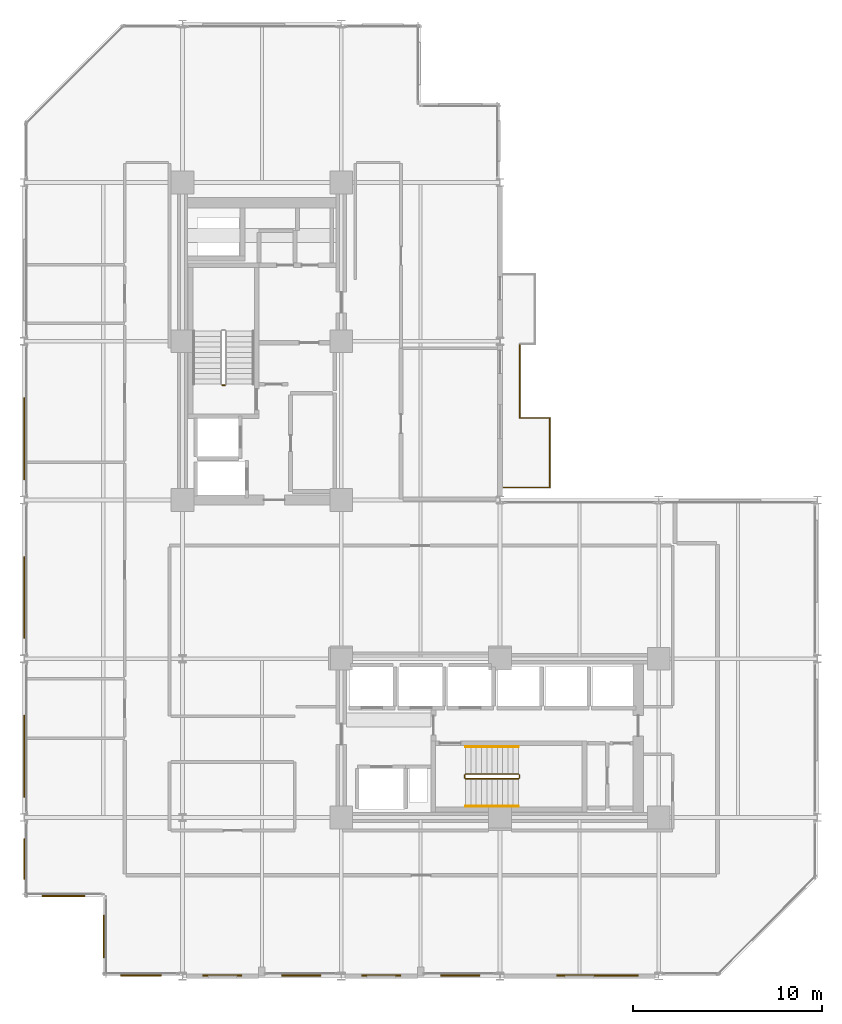
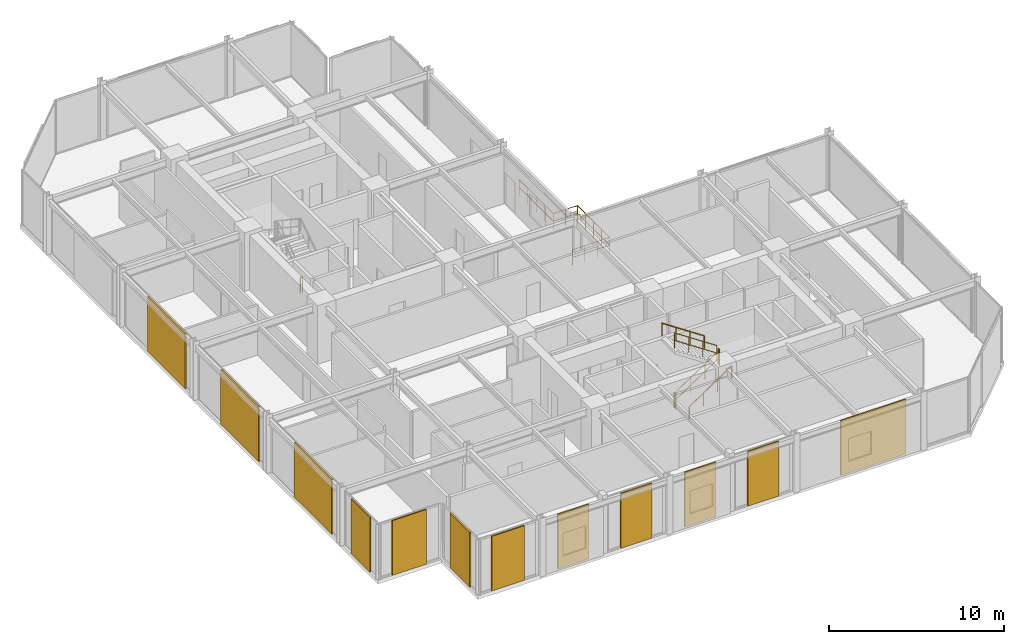
# One storey, part 27 of 29: 12 coverings, 11 railings.
"""IFC4 building model written with IfcOpenShell, lengths in metres."""

import ifcopenshell
import ifcopenshell.guid

model = None  # the IFC model being written
_history = None  # IfcOwnerHistory: only IFC2X3 demands one
_inside = {}  # id of a spatial element -> (the spatial element, [elements in it])
_under = {}  # id of a project, library or spatial element -> (it, [spatial elements below it])
_declared = {}  # id of a project -> (the project, [libraries it declares])
_typed = {}  # id of a type object -> (the type object, [elements of that type])
_made_of = {}  # id of a material, layer set ... -> (it, [elements and type objects made of it])


def new_model(schema):
    """Start an empty IFC model of exactly this schema.

    Asked for "IFC4X3", IfcOpenShell would pick the latest addendum, in which some entities
    have other attributes; the version numbers below select the first issue.
    IFC2X3 requires an IfcOwnerHistory on every rooted entity: one is made here for all.
    """
    global model, _history
    if schema == "IFC4X3":
        model = ifcopenshell.file(schema_version=(4, 3, 0, 0))
    else:
        model = ifcopenshell.file(schema=schema)
    _inside.clear()
    _under.clear()
    _declared.clear()
    _typed.clear()
    _made_of.clear()
    _history = None
    if model.schema == "IFC2X3":
        org = make("IfcOrganization", Name="unknown")
        user = make(
            "IfcPersonAndOrganization",
            ThePerson=make("IfcPerson", FamilyName="unknown"),
            TheOrganization=org,
        )
        app = make(
            "IfcApplication",
            ApplicationDeveloper=org,
            Version="unknown",
            ApplicationFullName="unknown",
            ApplicationIdentifier="unknown",
        )
        _history = make(
            "IfcOwnerHistory",
            OwningUser=user,
            OwningApplication=app,
            ChangeAction="ADDED",
            CreationDate=0,
        )
    return model


def make(cls, **values):
    """One entity of the class cls with the attributes given. An attribute that is None is left unset."""
    return model.create_entity(
        cls, **{name: value for name, value in values.items() if value is not None}
    )


def rooted(cls, **values):
    """An entity with a GlobalId (a new one), such as an element, a storey or a relation."""
    return make(cls, GlobalId=ifcopenshell.guid.new(), OwnerHistory=_history, **values)


def si_unit(unit_type, name, prefix=None):
    """IfcSIUnit, for example si_unit("LENGTHUNIT", "METRE", prefix="MILLI")."""
    return make("IfcSIUnit", UnitType=unit_type, Prefix=prefix, Name=name)


def assignment(units):
    """IfcUnitAssignment: the units of a project."""
    return None if units is None else make("IfcUnitAssignment", Units=units)


def point(xyz):
    """IfcCartesianPoint."""
    return None if xyz is None else make("IfcCartesianPoint", Coordinates=xyz)


def direction(xyz):
    """IfcDirection."""
    return None if xyz is None else make("IfcDirection", DirectionRatios=xyz)


def frame(location, z_axis=None, x_axis=None):
    """IfcAxis2Placement3D, a coordinate frame: its origin and axes. An axis left out is left unset."""
    return make(
        "IfcAxis2Placement3D",
        Location=point(location),
        Axis=direction(z_axis),
        RefDirection=direction(x_axis),
    )


def frame_2d(location, x_axis=None):
    """IfcAxis2Placement2D, a coordinate frame in the plane: its origin and x axis."""
    return make(
        "IfcAxis2Placement2D", Location=point(location), RefDirection=direction(x_axis)
    )


def origin():
    """The frame at (0, 0, 0) with its axes left unset."""
    return frame((0.0, 0.0, 0.0))


def origin_2d():
    """The frame at (0, 0) in the plane with its x axis left unset."""
    return frame_2d((0.0, 0.0))


def place(relative_to, where):
    """IfcLocalPlacement: puts the frame where relative to a parent placement (None: the world)."""
    return make(
        "IfcLocalPlacement", PlacementRelTo=relative_to, RelativePlacement=where
    )


def context(
    kind, dimensions, precision=None, world=None, true_north=None, identifier=None
):
    """IfcGeometricRepresentationContext, for example the 3D "Model" context."""
    return make(
        "IfcGeometricRepresentationContext",
        ContextIdentifier=identifier,
        ContextType=kind,
        CoordinateSpaceDimension=dimensions,
        Precision=precision,
        WorldCoordinateSystem=world,
        TrueNorth=true_north,
    )


def subcontext(parent, identifier, kind, view, scale=None):
    """IfcGeometricRepresentationSubContext, for example "Body" below "Model"."""
    return make(
        "IfcGeometricRepresentationSubContext",
        ContextIdentifier=identifier,
        ContextType=kind,
        ParentContext=parent,
        TargetScale=scale,
        TargetView=view,
    )


def project(units=None, contexts=None):
    """IfcProject with its units and contexts."""
    return rooted(
        "IfcProject",
        Name="project",
        RepresentationContexts=contexts,
        UnitsInContext=assignment(units),
    )


def spatial(cls, under=None, at=None, **own):
    """A site, building, storey or space (cls), placed at a placement, below another one or the project."""
    s = rooted(cls, ObjectPlacement=at, **own)
    if under is not None:
        _under.setdefault(under.id(), (under, []))[1].append(s)
    return s


def profile(cls, at=None, kind="AREA", **sizes):
    """A parametric profile (cls). Its sizes go by their IFC names, for example OverallWidth=200.0."""
    return make(cls, ProfileType=kind, Position=at, **sizes)


def rectangle(**sizes):
    """IfcRectangleProfileDef."""
    return profile("IfcRectangleProfileDef", **sizes)


def circle(**sizes):
    """IfcCircleProfileDef."""
    return profile("IfcCircleProfileDef", **sizes)


def extrude(swept, where, along, depth):
    """IfcExtrudedAreaSolid: the profile swept, set in the frame where, extruded along a direction by depth."""
    return make(
        "IfcExtrudedAreaSolid",
        SweptArea=swept,
        Position=where,
        ExtrudedDirection=direction(along),
        Depth=depth,
    )


def shape(context_of_items, identifier, shape_type, items):
    """IfcShapeRepresentation: the items that make up one representation, for example the "Body"."""
    return make(
        "IfcShapeRepresentation",
        ContextOfItems=context_of_items,
        RepresentationIdentifier=identifier,
        RepresentationType=shape_type,
        Items=items,
    )


def material(Name=None, Category=None):
    """IfcMaterial."""
    return make("IfcMaterial", Name=Name, Category=Category)


def layer(
    of_material, thickness, ventilated=None, Name=None, Category=None, Priority=None
):
    """IfcMaterialLayer: one layer of a wall or slab, of a material (None: an air gap)."""
    return make(
        "IfcMaterialLayer",
        Material=of_material,
        LayerThickness=thickness,
        IsVentilated=ventilated,
        Name=Name,
        Category=Category,
        Priority=Priority,
    )


def layer_set(layers, Name=None):
    """IfcMaterialLayerSet."""
    return make("IfcMaterialLayerSet", MaterialLayers=layers, LayerSetName=Name)


def made_of(thing, what):
    """Note that an element or type object is made of a material, layer set ...; save() writes the relation."""
    if what is not None:
        _made_of.setdefault(what.id(), (what, []))[1].append(thing)
    return thing


def type_object(cls, material=None, **own):
    """A type object (cls), such as IfcWallType, which elements share."""
    return made_of(rooted(cls, **own), material)


def element(
    cls,
    number,
    at=None,
    inside=None,
    cuts=None,
    type_object=None,
    material=None,
    context=None,
    identifier="Body",
    shape_type=None,
    held_by="IfcProductDefinitionShape",
    body=None,
    shapes=None,
    **own,
):
    """One element of the class cls, such as IfcWall. Its Tag is "e" and its number.

    at: its placement. inside: the storey or other place that contains it. cuts: it is an
    opening in that element (IfcRelVoidsElement). A single representation is given by context,
    identifier, shape_type and body (its items); several are given by shapes. held_by: the class
    of the entity that holds the representations. save() writes the other relations.
    """
    e = rooted(cls, Tag="e%d" % number, ObjectPlacement=at, **own)
    if body is not None:
        shapes = [shape(context, identifier, shape_type, body)]
    if shapes is not None:
        e.Representation = make(held_by, Representations=shapes)
    if inside is not None:
        _inside.setdefault(inside.id(), (inside, []))[1].append(e)
    if cuts is not None:
        rooted(
            "IfcRelVoidsElement", RelatingBuildingElement=cuts, RelatedOpeningElement=e
        )
    if type_object is not None:
        _typed.setdefault(type_object.id(), (type_object, []))[1].append(e)
    return made_of(e, material)


def aggregate(whole, parts):
    """IfcRelAggregates: a whole, such as a stair, and the parts it consists of."""
    return rooted("IfcRelAggregates", RelatingObject=whole, RelatedObjects=parts)


def save(model, path):
    """Write the relations noted so far, then the file.

    IfcRelAggregates (storeys below a building ...), IfcRelContainedInSpatialStructure (elements
    in a storey), IfcRelDefinesByType, IfcRelAssociatesMaterial and IfcRelDeclares: one each for
    every whole, place, type object, material and project.
    """
    for whole, parts in _under.values():
        aggregate(whole, parts)
    for where, things in _inside.values():
        rooted(
            "IfcRelContainedInSpatialStructure",
            RelatedElements=things,
            RelatingStructure=where,
        )
    for kind, things in _typed.values():
        rooted("IfcRelDefinesByType", RelatedObjects=things, RelatingType=kind)
    for what, things in _made_of.values():
        rooted("IfcRelAssociatesMaterial", RelatedObjects=things, RelatingMaterial=what)
    for by, libraries in _declared.values():
        rooted("IfcRelDeclares", RelatingContext=by, RelatedDefinitions=libraries)
    model.write(path)


model = new_model("IFC4")

# Units and contexts
model_context = context("Model", 3, precision=1e-05, world=origin(), true_north=direction((0.0, 1.0)))
body_context = subcontext(model_context, "Body", "Model", "MODEL_VIEW")
ifc_project = project(units=[si_unit("LENGTHUNIT", "METRE"), si_unit("AREAUNIT", "SQUARE_METRE"), si_unit("VOLUMEUNIT", "CUBIC_METRE"), si_unit("PLANEANGLEUNIT", "RADIAN"), si_unit("MASSUNIT", "GRAM", prefix="KILO")], contexts=[model_context])

# Site, building, storey
site_placement = place(None, origin())
site = spatial("IfcSite", under=ifc_project, at=site_placement, CompositionType="ELEMENT")
building_placement = place(site_placement, origin())
building = spatial("IfcBuilding", under=site, at=building_placement, Name="Nerrivon Quay Data Exchange", CompositionType="ELEMENT")
storey_placement = place(building_placement, frame((0.0, 0.0, 133.60009765625)))
storey = spatial("IfcBuildingStorey", under=building, at=storey_placement, Name="L31", CompositionType="ELEMENT", Elevation=133.60009765625)

# Coverings
ifc_material_1 = material(Name="Architectural terracotta ceramic", Category="masonry")
ifc_layer = layer(ifc_material_1, 0.090087890625)
ifc_layer_set = layer_set([ifc_layer], Name="Architectural terracotta ceramic")
covering_type = type_object("IfcCoveringType", Name="COV-SCR-TERR", PredefinedType="CLADDING", material=ifc_layer_set)
covering_1_placement = place(storey_placement, frame((30.360107421875, 0.044921875, 0.0), z_axis=(0.0, 0.0, 1.0), x_axis=(-1.0, 0.0, 0.0)))
element("IfcCovering", 1, at=covering_1_placement, inside=storey, type_object=covering_type, Name="L31 Perforated Terracotta SOLAR SCREEN Cassette", PredefinedType="CLADDING", context=body_context, shape_type="SweptSolid", body=[
    extrude(rectangle(XDim=4.320068359375, YDim=0.090087890625, at=origin_2d()), origin(), (0.0, 0.0, 1.0), 3.824951171875),
])
for number, where, z_axis, x_axis, name in (
    (2, (23.08740234375, 0.044921875, 0.0), (0.0, 0.0, 1.0), (-1.0, 0.0, 0.0), "L31 Perforated Terracotta SOLAR SCREEN Cassette"),
    (3, (18.91259765625, 0.044921875, 0.0), (0.0, 0.0, 1.0), (-1.0, 0.0, 0.0), "L31 Perforated Terracotta SOLAR SCREEN Cassette"),
):
    element("IfcCovering", number, at=place(storey_placement, frame(where, z_axis=z_axis, x_axis=x_axis)), inside=storey, type_object=covering_type, Name=name, PredefinedType="CLADDING", context=body_context, shape_type="SweptSolid", body=[
        extrude(rectangle(XDim=2.06494140625, YDim=0.090087890625, at=origin_2d()), origin(), (0.0, 0.0, 1.0), 3.824951171875),
    ])
for number, where, z_axis, x_axis, name in (
    (4, (14.6875, 0.044921875, 0.0), (0.0, 0.0, 1.0), (-1.0, 0.0, 0.0), "L31 Perforated Terracotta SOLAR SCREEN Cassette"),
    (5, (10.512451171875, 0.044921875, 0.0), (0.0, 0.0, 1.0), (-1.0, 0.0, 0.0), "L31 Perforated Terracotta SOLAR SCREEN Cassette"),
):
    element("IfcCovering", number, at=place(storey_placement, frame(where, z_axis=z_axis, x_axis=x_axis)), inside=storey, type_object=covering_type, Name=name, PredefinedType="CLADDING", context=body_context, shape_type="SweptSolid", body=[
        extrude(rectangle(XDim=2.06591796875, YDim=0.090087890625, at=origin_2d()), origin(), (0.0, 0.0, 1.0), 3.824951171875),
    ])
covering_2_placement = place(storey_placement, frame((6.199951171875, 0.044921875, 0.0), z_axis=(0.0, 0.0, 1.0), x_axis=(-1.0, 0.0, 0.0)))
element("IfcCovering", 6, at=covering_2_placement, inside=storey, type_object=covering_type, Name="L31 Perforated Terracotta SOLAR SCREEN Cassette", PredefinedType="CLADDING", context=body_context, shape_type="SweptSolid", body=[
    extrude(rectangle(XDim=2.159912109375, YDim=0.090087890625, at=origin_2d()), origin(), (0.0, 0.0, 1.0), 3.824951171875),
])
for number, where, z_axis, x_axis, name in (
    (7, (4.2451171875, 2.10009765625, 0.0), (0.0, 0.0, 1.0), (0.0, 1.0, 0.0), "L31 Perforated Terracotta SOLAR SCREEN Cassette"),
    (8, (2.10009765625, 4.2451171875, 0.0), (0.0, 0.0, 1.0), (-1.0, 0.0, 0.0), "L31 Perforated Terracotta SOLAR SCREEN Cassette"),
):
    element("IfcCovering", number, at=place(storey_placement, frame(where, z_axis=z_axis, x_axis=x_axis)), inside=storey, type_object=covering_type, Name=name, PredefinedType="CLADDING", context=body_context, shape_type="SweptSolid", body=[
        extrude(rectangle(XDim=2.26806640625, YDim=0.090087890625, at=origin_2d()), origin(), (0.0, 0.0, 1.0), 3.824951171875),
    ])
covering_3_placement = place(storey_placement, frame((0.044921875, 6.199951171875, 0.0), z_axis=(0.0, 0.0, 1.0), x_axis=(0.0, 1.0, 0.0)))
element("IfcCovering", 9, at=covering_3_placement, inside=storey, type_object=covering_type, Name="L31 Perforated Terracotta SOLAR SCREEN Cassette", PredefinedType="CLADDING", context=body_context, shape_type="SweptSolid", body=[
    extrude(rectangle(XDim=2.159912109375, YDim=0.090087890625, at=origin_2d()), origin(), (0.0, 0.0, 1.0), 3.824951171875),
])
for number, where, z_axis, x_axis, name in (
    (10, (0.044921875, 11.639892578125, 0.0), (0.0, 0.0, 1.0), (0.0, 1.0, 0.0), "L31 Perforated Terracotta SOLAR SCREEN Cassette"),
    (11, (0.044921875, 20.0400390625, 0.0), (0.0, 0.0, 1.0), (0.0, 1.0, 0.0), "L31 Perforated Terracotta SOLAR SCREEN Cassette"),
    (12, (0.044921875, 28.43994140625, 0.0), (0.0, 0.0, 1.0), (0.0, 1.0, 0.0), "L31 Perforated Terracotta SOLAR SCREEN Cassette"),
):
    element("IfcCovering", number, at=place(storey_placement, frame(where, z_axis=z_axis, x_axis=x_axis)), inside=storey, type_object=covering_type, Name=name, PredefinedType="CLADDING", context=body_context, shape_type="SweptSolid", body=[
        extrude(rectangle(XDim=4.320068359375, YDim=0.090087890625, at=origin_2d()), origin(), (0.0, 0.0, 1.0), 3.824951171875),
    ])

# Railings
ifc_material_2 = material(Name="Steel Grade C350L0 (350 MPa)", Category="steel")
railing_type_1 = type_object("IfcRailingType", Name="RAIL-GUARD-GR2", PredefinedType="BALUSTRADE", material=ifc_material_2)
railing_1_placement = place(storey_placement, frame((26.239990234375, 29.5400390625, 0.0)))
element("IfcRailing", 13, at=railing_1_placement, inside=storey, type_object=railing_type_1, Name="L31 Verandah Balcony Guard 1.1 1", PredefinedType="BALUSTRADE", context=body_context, shape_type="SweptSolid", body=[
    extrude(circle(Radius=0.02392578125, at=origin_2d()), frame((0.0, 0.0, 1.09619140625), z_axis=(1.0, 0.0, 0.0), x_axis=(0.0, 1.0, 0.0)), (0.0, 0.0, 1.0), 1.60009765625),
    extrude(circle(Radius=0.02392578125, at=origin_2d()), frame((0.0, 0.0, 0.56005859375), z_axis=(1.0, 0.0, 0.0), x_axis=(0.0, 1.0, 0.0)), (0.0, 0.0, 1.0), 1.60009765625),
    extrude(circle(Radius=0.02099609375, at=origin_2d()), origin(), (0.0, 0.0, 1.0), 1.072021484375),
    extrude(circle(Radius=0.02099609375, at=origin_2d()), frame((0.800048828125, 0.0, 0.0)), (0.0, 0.0, 1.0), 1.072021484375),
    extrude(circle(Radius=0.02099609375, at=origin_2d()), frame((1.60009765625, 0.0, 0.0)), (0.0, 0.0, 1.0), 1.072021484375),
])
railing_2_placement = place(storey_placement, frame((27.840087890625, 29.5400390625, 0.0)))
element("IfcRailing", 14, at=railing_2_placement, inside=storey, type_object=railing_type_1, Name="L31 Verandah Balcony Guard 1.2 1", PredefinedType="BALUSTRADE", context=body_context, shape_type="SweptSolid", body=[
    extrude(circle(Radius=0.02392578125, at=origin_2d()), frame((0.0, 0.0, 1.09619140625), z_axis=(0.0, -1.0, 0.0), x_axis=(1.0, 0.0, 0.0)), (0.0, 0.0, 1.0), 3.679931640625),
    extrude(circle(Radius=0.02392578125, at=origin_2d()), frame((0.0, 0.0, 0.56005859375), z_axis=(0.0, -1.0, 0.0), x_axis=(1.0, 0.0, 0.0)), (0.0, 0.0, 1.0), 3.679931640625),
    extrude(circle(Radius=0.02099609375, at=origin_2d()), origin(), (0.0, 0.0, 1.0), 1.072021484375),
    extrude(circle(Radius=0.02099609375, at=origin_2d()), frame((0.0, -0.919921875, 0.0)), (0.0, 0.0, 1.0), 1.072021484375),
    extrude(circle(Radius=0.02099609375, at=origin_2d()), frame((0.0, -1.83984375, 0.0)), (0.0, 0.0, 1.0), 1.072021484375),
    extrude(circle(Radius=0.02099609375, at=origin_2d()), frame((0.0, -2.760009765625, 0.0)), (0.0, 0.0, 1.0), 1.072021484375),
    extrude(circle(Radius=0.02099609375, at=origin_2d()), frame((0.0, -3.679931640625, 0.0)), (0.0, 0.0, 1.0), 1.072021484375),
])
railing_3_placement = place(storey_placement, frame((27.840087890625, 25.860107421875, 0.0)))
element("IfcRailing", 15, at=railing_3_placement, inside=storey, type_object=railing_type_1, Name="L31 Verandah Balcony Guard 1.3 1", PredefinedType="BALUSTRADE", context=body_context, shape_type="SweptSolid", body=[
    extrude(circle(Radius=0.02392578125, at=origin_2d()), frame((0.0, 0.0, 1.09619140625), z_axis=(-1.0, 0.0, 0.0), x_axis=(0.0, -1.0, 0.0)), (0.0, 0.0, 1.0), 2.460205078125),
    extrude(circle(Radius=0.02392578125, at=origin_2d()), frame((0.0, 0.0, 0.56005859375), z_axis=(-1.0, 0.0, 0.0), x_axis=(0.0, -1.0, 0.0)), (0.0, 0.0, 1.0), 2.460205078125),
    extrude(circle(Radius=0.02099609375, at=origin_2d()), origin(), (0.0, 0.0, 1.0), 1.072021484375),
    extrude(circle(Radius=0.02099609375, at=origin_2d()), frame((-0.820068359375, 0.0, 0.0)), (0.0, 0.0, 1.0), 1.072021484375),
    extrude(circle(Radius=0.02099609375, at=origin_2d()), frame((-1.64013671875, 0.0, 0.0)), (0.0, 0.0, 1.0), 1.072021484375),
    extrude(circle(Radius=0.02099609375, at=origin_2d()), frame((-2.460205078125, 0.0, 0.0)), (0.0, 0.0, 1.0), 1.072021484375),
])
railing_4_placement = place(storey_placement, frame((26.239990234375, 33.4599609375, 0.0)))
element("IfcRailing", 16, at=railing_4_placement, inside=storey, type_object=railing_type_1, Name="L31 Verandah Balcony Guard 1.7 1", PredefinedType="BALUSTRADE", context=body_context, shape_type="SweptSolid", body=[
    extrude(circle(Radius=0.02392578125, at=origin_2d()), frame((0.0, 0.0, 1.09619140625), z_axis=(0.0, -1.0, 0.0), x_axis=(1.0, 0.0, 0.0)), (0.0, 0.0, 1.0), 3.919921875),
    extrude(circle(Radius=0.02392578125, at=origin_2d()), frame((0.0, 0.0, 0.56005859375), z_axis=(0.0, -1.0, 0.0), x_axis=(1.0, 0.0, 0.0)), (0.0, 0.0, 1.0), 3.919921875),
    extrude(circle(Radius=0.02099609375, at=origin_2d()), origin(), (0.0, 0.0, 1.0), 1.072021484375),
    extrude(circle(Radius=0.02099609375, at=origin_2d()), frame((0.0, -0.97998046875, 0.0)), (0.0, 0.0, 1.0), 1.072021484375),
    extrude(circle(Radius=0.02099609375, at=origin_2d()), frame((0.0, -1.9599609375, 0.0)), (0.0, 0.0, 1.0), 1.072021484375),
    extrude(circle(Radius=0.02099609375, at=origin_2d()), frame((0.0, -2.93994140625, 0.0)), (0.0, 0.0, 1.0), 1.072021484375),
    extrude(circle(Radius=0.02099609375, at=origin_2d()), frame((0.0, -3.919921875, 0.0)), (0.0, 0.0, 1.0), 1.072021484375),
])
railing_type_2 = type_object("IfcRailingType", Name="RAIL-HAND-HR1", PredefinedType="HANDRAIL", material=ifc_material_2)
railing_5_placement = place(storey_placement, frame((23.3798828125, 9.0, 0.186279296875)))
element("IfcRailing", 17, at=railing_5_placement, inside=storey, type_object=railing_type_2, Name="L31 ST02 stair handrail 1", PredefinedType="HANDRAIL", context=body_context, shape_type="SweptSolid", body=[
    extrude(circle(Radius=0.02392578125, at=origin_2d()), frame((0.0, 0.0, 0.8759765625), z_axis=(0.832485552168, 0.0, 0.554046753832), x_axis=(0.0, 1.0, 0.0)), (0.0, 0.0, 1.0), 3.363525390625),
    extrude(circle(Radius=0.02099609375, at=origin_2d()), origin(), (0.0, 0.0, 1.0), 0.851806640625),
    extrude(circle(Radius=0.02099609375, at=origin_2d()), frame((0.933349609375, 0.0, 0.62109375)), (0.0, 0.0, 1.0), 0.851806640625),
    extrude(circle(Radius=0.02099609375, at=origin_2d()), frame((1.86669921875, 0.0, 1.242431640625)), (0.0, 0.0, 1.0), 0.851806640625),
    extrude(circle(Radius=0.02099609375, at=origin_2d()), frame((2.800048828125, 0.0, 1.863525390625)), (0.0, 0.0, 1.0), 0.851806640625),
])
railing_6_placement = place(storey_placement, frame((26.179931640625, 12.14990234375, 2.236328125)))
element("IfcRailing", 18, at=railing_6_placement, inside=storey, type_object=railing_type_2, Name="L31 ST02 stair handrail 2", PredefinedType="HANDRAIL", context=body_context, shape_type="SweptSolid", body=[
    extrude(circle(Radius=0.02392578125, at=origin_2d()), frame((0.0, 0.0, 0.8759765625), z_axis=(-0.832485552168, 0.0, 0.554046753832), x_axis=(0.0, -1.0, 0.0)), (0.0, 0.0, 1.0), 3.363525390625),
    extrude(circle(Radius=0.02099609375, at=origin_2d()), origin(), (0.0, 0.0, 1.0), 0.851806640625),
    extrude(circle(Radius=0.02099609375, at=origin_2d()), frame((-0.933349609375, 0.0, 0.62109375)), (0.0, 0.0, 1.0), 0.851806640625),
    extrude(circle(Radius=0.02099609375, at=origin_2d()), frame((-1.86669921875, 0.0, 1.242431640625)), (0.0, 0.0, 1.0), 0.851806640625),
    extrude(circle(Radius=0.02099609375, at=origin_2d()), frame((-2.800048828125, 0.0, 1.863525390625)), (0.0, 0.0, 1.0), 0.851806640625),
])
railing_type_3 = type_object("IfcRailingType", Name="RAIL-STAIR-GR1", PredefinedType="BALUSTRADE", material=ifc_material_2)
railing_7_placement = place(storey_placement, frame((10.64990234375, 31.280029296875, 0.0)))
element("IfcRailing", 19, at=railing_7_placement, inside=storey, type_object=railing_type_3, Name="L31 ST01 stair guard 4", PredefinedType="BALUSTRADE", context=body_context, shape_type="SweptSolid", body=[
    extrude(circle(Radius=0.02392578125, at=origin_2d()), frame((0.0, 0.0, 1.076171875), z_axis=(-1.0, 0.0, 0.0), x_axis=(0.0, -1.0, 0.0)), (0.0, 0.0, 1.0), 0.14990234375),
    extrude(circle(Radius=0.02392578125, at=origin_2d()), frame((0.0, 0.0, 0.550048828125), z_axis=(-1.0, 0.0, 0.0), x_axis=(0.0, -1.0, 0.0)), (0.0, 0.0, 1.0), 0.14990234375),
    extrude(circle(Radius=0.02099609375, at=origin_2d()), origin(), (0.0, 0.0, 1.0), 1.052001953125),
    extrude(circle(Radius=0.02099609375, at=origin_2d()), frame((-0.14990234375, 0.0, 0.0)), (0.0, 0.0, 1.0), 1.052001953125),
])
railing_8_placement = place(storey_placement, frame((23.3798828125, 10.449951171875, 0.186279296875)))
element("IfcRailing", 20, at=railing_8_placement, inside=storey, type_object=railing_type_3, Name="L31 ST02 stair guard 1", PredefinedType="BALUSTRADE", context=body_context, shape_type="SweptSolid", body=[
    extrude(circle(Radius=0.02392578125, at=origin_2d()), frame((0.0, 0.0, 1.076171875), z_axis=(0.832485552168, 0.0, 0.554046753832), x_axis=(0.0, 1.0, 0.0)), (0.0, 0.0, 1.0), 3.363525390625),
    extrude(circle(Radius=0.02392578125, at=origin_2d()), frame((0.0, 0.0, 0.550048828125), z_axis=(0.832485552168, 0.0, 0.554046753832), x_axis=(0.0, 1.0, 0.0)), (0.0, 0.0, 1.0), 3.363525390625),
    extrude(circle(Radius=0.02099609375, at=origin_2d()), origin(), (0.0, 0.0, 1.0), 1.052001953125),
    extrude(circle(Radius=0.02099609375, at=origin_2d()), frame((0.933349609375, 0.0, 0.62109375)), (0.0, 0.0, 1.0), 1.052001953125),
    extrude(circle(Radius=0.02099609375, at=origin_2d()), frame((1.86669921875, 0.0, 1.242431640625)), (0.0, 0.0, 1.0), 1.052001953125),
    extrude(circle(Radius=0.02099609375, at=origin_2d()), frame((2.800048828125, 0.0, 1.863525390625)), (0.0, 0.0, 1.0), 1.052001953125),
])
railing_9_placement = place(storey_placement, frame((26.22998046875, 10.5, 2.0498046875)))
element("IfcRailing", 21, at=railing_9_placement, inside=storey, type_object=railing_type_3, Name="L31 ST02 stair guard 2", PredefinedType="BALUSTRADE", context=body_context, shape_type="SweptSolid", body=[
    extrude(circle(Radius=0.02392578125, at=origin_2d()), frame((0.0, 0.0, 1.076171875), z_axis=(0.0, 1.0, 0.0), x_axis=(-1.0, 0.0, 0.0)), (0.0, 0.0, 1.0), 0.14990234375),
    extrude(circle(Radius=0.02392578125, at=origin_2d()), frame((0.0, 0.0, 0.550048828125), z_axis=(0.0, 1.0, 0.0), x_axis=(-1.0, 0.0, 0.0)), (0.0, 0.0, 1.0), 0.14990234375),
    extrude(circle(Radius=0.02099609375, at=origin_2d()), origin(), (0.0, 0.0, 1.0), 1.052001953125),
    extrude(circle(Radius=0.02099609375, at=origin_2d()), frame((0.0, 0.14990234375, 0.0)), (0.0, 0.0, 1.0), 1.052001953125),
])
railing_10_placement = place(storey_placement, frame((26.179931640625, 10.699951171875, 2.236328125)))
element("IfcRailing", 22, at=railing_10_placement, inside=storey, type_object=railing_type_3, Name="L31 ST02 stair guard 3", PredefinedType="BALUSTRADE", context=body_context, shape_type="SweptSolid", body=[
    extrude(circle(Radius=0.02392578125, at=origin_2d()), frame((0.0, 0.0, 1.076171875), z_axis=(-0.832485552168, 0.0, 0.554046753832), x_axis=(0.0, -1.0, 0.0)), (0.0, 0.0, 1.0), 3.363525390625),
    extrude(circle(Radius=0.02392578125, at=origin_2d()), frame((0.0, 0.0, 0.550048828125), z_axis=(-0.832485552168, 0.0, 0.554046753832), x_axis=(0.0, -1.0, 0.0)), (0.0, 0.0, 1.0), 3.363525390625),
    extrude(circle(Radius=0.02099609375, at=origin_2d()), origin(), (0.0, 0.0, 1.0), 1.052001953125),
    extrude(circle(Radius=0.02099609375, at=origin_2d()), frame((-0.933349609375, 0.0, 0.62109375)), (0.0, 0.0, 1.0), 1.052001953125),
    extrude(circle(Radius=0.02099609375, at=origin_2d()), frame((-1.86669921875, 0.0, 1.242431640625)), (0.0, 0.0, 1.0), 1.052001953125),
    extrude(circle(Radius=0.02099609375, at=origin_2d()), frame((-2.800048828125, 0.0, 1.863525390625)), (0.0, 0.0, 1.0), 1.052001953125),
])
railing_11_placement = place(storey_placement, frame((23.330078125, 10.5, 0.0)))
element("IfcRailing", 23, at=railing_11_placement, inside=storey, type_object=railing_type_3, Name="L31 ST02 stair guard 4", PredefinedType="BALUSTRADE", context=body_context, shape_type="SweptSolid", body=[
    extrude(circle(Radius=0.02392578125, at=origin_2d()), frame((0.0, 0.0, 1.076171875), z_axis=(0.0, 1.0, 0.0), x_axis=(-1.0, 0.0, 0.0)), (0.0, 0.0, 1.0), 0.14990234375),
    extrude(circle(Radius=0.02392578125, at=origin_2d()), frame((0.0, 0.0, 0.550048828125), z_axis=(0.0, 1.0, 0.0), x_axis=(-1.0, 0.0, 0.0)), (0.0, 0.0, 1.0), 0.14990234375),
    extrude(circle(Radius=0.02099609375, at=origin_2d()), origin(), (0.0, 0.0, 1.0), 1.052001953125),
    extrude(circle(Radius=0.02099609375, at=origin_2d()), frame((0.0, 0.14990234375, 0.0)), (0.0, 0.0, 1.0), 1.052001953125),
])

save(model, "model.ifc")
